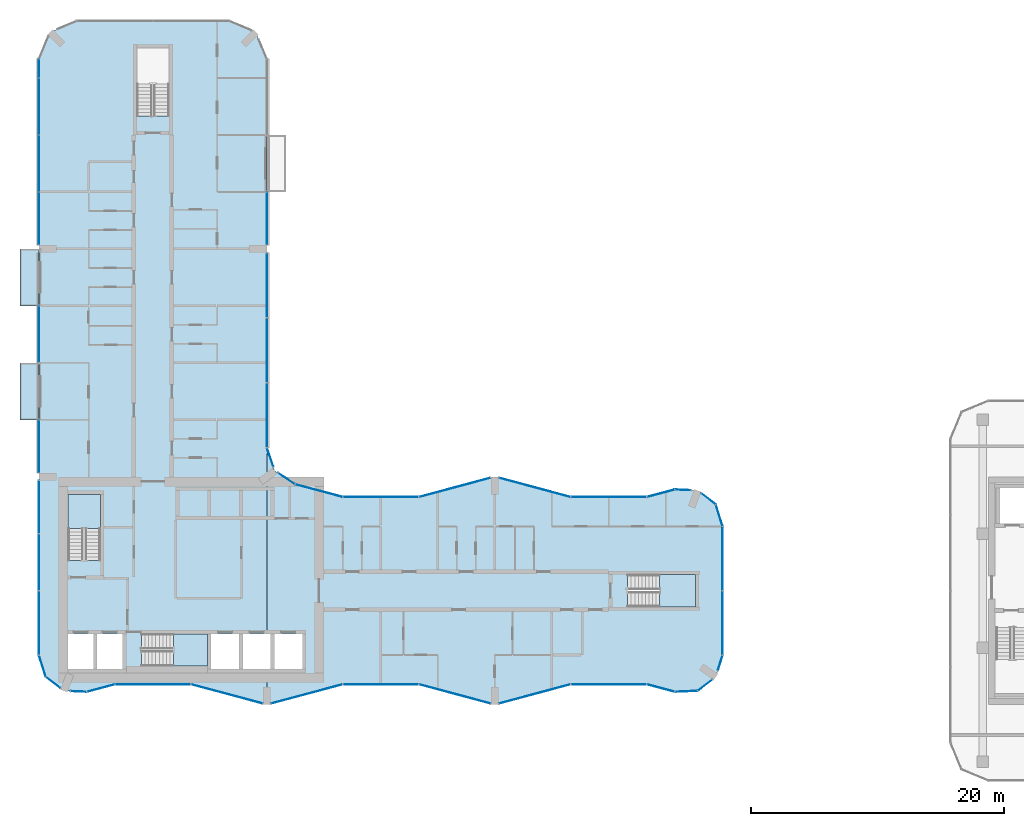
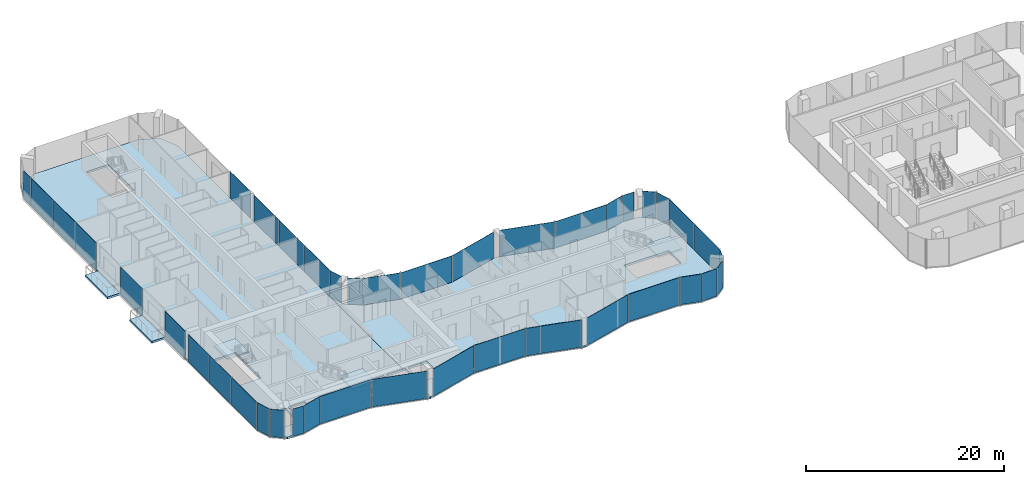
# One storey, part 12 of 24: 41 plates, 7 slabs, 36 elements without a shape of their own.
"""IFC4 building model written with IfcOpenShell, lengths in metres."""

from ifc_helpers import new_model, si_unit, direction, frame, origin, origin_2d, place, context, subcontext, project, spatial, polyline, rectangle, outline, extrude, material, layer, layer_set, type_object, element, aggregate, save


model = new_model("IFC4")

# Units and contexts
model_context = context("Model", 3, precision=1e-05, world=origin(), true_north=direction((0.0, 1.0)))
body_context = subcontext(model_context, "Body", "Model", "MODEL_VIEW")
ifc_project = project(units=[si_unit("LENGTHUNIT", "METRE"), si_unit("AREAUNIT", "SQUARE_METRE"), si_unit("VOLUMEUNIT", "CUBIC_METRE"), si_unit("PLANEANGLEUNIT", "RADIAN"), si_unit("MASSUNIT", "GRAM", prefix="KILO")], contexts=[model_context])

# Site, building, storey
site_placement = place(None, origin())
site = spatial("IfcSite", under=ifc_project, at=site_placement, CompositionType="ELEMENT")
building_placement = place(site_placement, origin())
building = spatial("IfcBuilding", under=site, at=building_placement, Name="Plateau Cross Towers", CompositionType="ELEMENT")
storey_placement = place(building_placement, frame((0.0, 0.0, 51.300048828125)))
storey = spatial("IfcBuildingStorey", under=building, at=storey_placement, Name="L12", CompositionType="ELEMENT", Elevation=51.300048828125)

# Slabs
ifc_material_1 = material(Name="Concrete C40/50", Category="concrete")
ifc_layer_1 = layer(ifc_material_1, 0.25)
ifc_layer_set_1 = layer_set([ifc_layer_1], Name="Concrete C40/50")
slab_type_1 = type_object("IfcSlabType", Name="Balcony slab 250", PredefinedType="FLOOR", material=ifc_layer_set_1)
slab_1_placement = place(storey_placement, frame((0.0, 0.0, -0.25)))
element("IfcSlab", 1, at=slab_1_placement, inside=storey, type_object=slab_type_1, Name="Balcony slab A-BAL-L12-01", PredefinedType="FLOOR", context=body_context, shape_type="SweptSolid", body=[
    extrude(outline(polyline([(0.0, 22.5), (0.0, 27.0), (-1.5, 27.0), (-1.5, 22.5), (0.0, 22.5)])), origin(), (0.0, 0.0, 1.0), 0.25),
])
slab_2_placement = place(storey_placement, frame((0.0, 0.0, -0.25)))
element("IfcSlab", 2, at=slab_2_placement, inside=storey, type_object=slab_type_1, Name="Balcony slab A-BAL-L12-02", PredefinedType="FLOOR", context=body_context, shape_type="SweptSolid", body=[
    extrude(outline(polyline([(0.0, 31.5), (0.0, 36.0), (-1.5, 36.0), (-1.5, 31.5), (0.0, 31.5)])), origin(), (0.0, 0.0, 1.0), 0.25),
])

# Curtain wall, plate
ifc_material_2 = material(Name="Dark low-iron glass", Category="glass")
ifc_layer_2 = layer(ifc_material_2, 0.239990234375)
ifc_layer_set_2 = layer_set([ifc_layer_2], Name="Dark low-iron glass")
curtain_wall_type_1 = type_object("IfcCurtainWallType", Name="Curtain wall flush unitised CW-B", PredefinedType="NOTDEFINED", material=ifc_layer_set_2)
curtain_wall_1_placement = place(storey_placement, origin())
curtain_wall_1 = element("IfcCurtainWall", 3, at=curtain_wall_1_placement, inside=storey, type_object=curtain_wall_type_1, Name="ENV/A/L12/A502_10", PredefinedType="NOTDEFINED")
ifc_layer_3 = layer(ifc_material_2, 0.031982421875)
ifc_layer_set_3 = layer_set([ifc_layer_3], Name="Dark low-iron glass")
plate_type_1 = type_object("IfcPlateType", Name="Glass panel 32 flush unitised", PredefinedType="CURTAIN_PANEL", material=ifc_layer_set_3)
plate_1_placement = place(storey_placement, frame((51.125, 1.05078125, -0.1298828125), z_axis=(0.0, 0.0, 1.0), x_axis=(0.999043701491, 0.043722791671, 0.0)))
plate_1 = element("IfcPlate", 4, at=plate_1_placement, type_object=plate_type_1, Name="CW-B panel 1", PredefinedType="CURTAIN_PANEL", context=body_context, shape_type="SweptSolid", body=[
    extrude(rectangle(XDim=1.744140625, YDim=0.031982421875, at=origin_2d()), origin(), (0.0, 0.0, 1.0), 3.3798828125),
])
aggregate(curtain_wall_1, [plate_1])

curtain_wall_2_placement = place(storey_placement, origin())
curtain_wall_2 = element("IfcCurtainWall", 5, at=curtain_wall_2_placement, inside=storey, type_object=curtain_wall_type_1, Name="ENV/A/L12/A520_11", PredefinedType="NOTDEFINED")
plate_2_placement = place(storey_placement, frame((52.60986328125, 1.5380859375, -0.1298828125), z_axis=(0.0, 0.0, 1.0), x_axis=(0.793315514529, 0.608810721331, 0.0)))
plate_2 = element("IfcPlate", 6, at=plate_2_placement, type_object=plate_type_1, Name="CW-B panel 1", PredefinedType="CURTAIN_PANEL", context=body_context, shape_type="SweptSolid", body=[
    extrude(rectangle(XDim=1.41162109375, YDim=0.031982421875, at=origin_2d()), origin(), (0.0, 0.0, 1.0), 3.3798828125),
])
aggregate(curtain_wall_2, [plate_2])

curtain_wall_3_placement = place(storey_placement, origin())
curtain_wall_3 = element("IfcCurtainWall", 7, at=curtain_wall_3_placement, inside=storey, type_object=curtain_wall_type_1, Name="ENV/A/L12/A536_27", PredefinedType="NOTDEFINED")
plate_3_placement = place(storey_placement, frame((53.805419921875, 3.292236328125, -0.1298828125), z_axis=(0.0, 0.0, 1.0), x_axis=(0.300686174994, 0.95372313811, 0.0)))
plate_3 = element("IfcPlate", 8, at=plate_3_placement, type_object=plate_type_1, Name="CW-B panel 1", PredefinedType="CURTAIN_PANEL", context=body_context, shape_type="SweptSolid", body=[
    extrude(rectangle(XDim=1.233642578125, YDim=0.031982421875, at=origin_2d()), origin(), (0.0, 0.0, 1.0), 3.3798828125),
])
aggregate(curtain_wall_3, [plate_3])

# Curtain wall, plates
curtain_wall_4_placement = place(storey_placement, origin())
curtain_wall_4 = element("IfcCurtainWall", 9, at=curtain_wall_4_placement, inside=storey, type_object=curtain_wall_type_1, Name="ENV/A/L12/A540_39", PredefinedType="NOTDEFINED")
plate_4_placement = place(storey_placement, frame((54.0, 6.45458984375, -0.1298828125), z_axis=(0.0, 0.0, 1.0), x_axis=(0.0, 1.0, 0.0)))
plate_4 = element("IfcPlate", 10, at=plate_4_placement, type_object=plate_type_1, Name="CW-B panel 1", PredefinedType="CURTAIN_PANEL", context=body_context, shape_type="SweptSolid", body=[
    extrude(rectangle(XDim=5.03076171875, YDim=0.031982421875, at=origin_2d()), origin(), (0.0, 0.0, 1.0), 3.3798828125),
])
plate_5_placement = place(storey_placement, frame((54.0, 11.54541015625, -0.1298828125), z_axis=(0.0, 0.0, 1.0), x_axis=(0.0, 1.0, 0.0)))
plate_5 = element("IfcPlate", 11, at=plate_5_placement, type_object=plate_type_1, Name="CW-B panel 2", PredefinedType="CURTAIN_PANEL", context=body_context, shape_type="SweptSolid", body=[
    extrude(rectangle(XDim=5.03076171875, YDim=0.031982421875, at=origin_2d()), origin(), (0.0, 0.0, 1.0), 3.3798828125),
])
aggregate(curtain_wall_4, [plate_4, plate_5])

# Curtain wall, plate
curtain_wall_5_placement = place(storey_placement, origin())
curtain_wall_5 = element("IfcCurtainWall", 12, at=curtain_wall_5_placement, inside=storey, type_object=curtain_wall_type_1, Name="ENV/A/L12/A540_141", PredefinedType="NOTDEFINED")
plate_6_placement = place(storey_placement, frame((53.728759765625, 14.951171875, -0.1298828125), z_axis=(0.0, 0.0, 1.0), x_axis=(-0.300686174994, 0.95372313811, 0.0)))
plate_6 = element("IfcPlate", 13, at=plate_6_placement, type_object=plate_type_1, Name="CW-B panel 1", PredefinedType="CURTAIN_PANEL", context=body_context, shape_type="SweptSolid", body=[
    extrude(rectangle(XDim=1.744140625, YDim=0.031982421875, at=origin_2d()), origin(), (0.0, 0.0, 1.0), 3.3798828125),
])
aggregate(curtain_wall_5, [plate_6])

curtain_wall_6_placement = place(storey_placement, origin())
curtain_wall_6 = element("IfcCurtainWall", 14, at=curtain_wall_6_placement, inside=storey, type_object=curtain_wall_type_1, Name="ENV/A/L12/A535_158", PredefinedType="NOTDEFINED")
plate_7_placement = place(storey_placement, frame((52.873779296875, 16.25927734375, -0.1298828125), z_axis=(0.0, 0.0, 1.0), x_axis=(-0.793315514529, 0.608810721331, 0.0)))
plate_7 = element("IfcPlate", 15, at=plate_7_placement, type_object=plate_type_1, Name="CW-B panel 1", PredefinedType="CURTAIN_PANEL", context=body_context, shape_type="SweptSolid", body=[
    extrude(rectangle(XDim=1.41162109375, YDim=0.031982421875, at=origin_2d()), origin(), (0.0, 0.0, 1.0), 3.3798828125),
])
aggregate(curtain_wall_6, [plate_7])

curtain_wall_7_placement = place(storey_placement, origin())
curtain_wall_7 = element("IfcCurtainWall", 16, at=curtain_wall_7_placement, inside=storey, type_object=curtain_wall_type_1, Name="ENV/A/L12/A515_169", PredefinedType="NOTDEFINED")
plate_8_placement = place(storey_placement, frame((50.8701171875, 16.96044921875, -0.1298828125), z_axis=(0.0, 0.0, 1.0), x_axis=(-0.999043701491, 0.043722791671, 0.0)))
plate_8 = element("IfcPlate", 17, at=plate_8_placement, type_object=plate_type_1, Name="CW-B panel 1", PredefinedType="CURTAIN_PANEL", context=body_context, shape_type="SweptSolid", body=[
    extrude(rectangle(XDim=1.233642578125, YDim=0.031982421875, at=origin_2d()), origin(), (0.0, 0.0, 1.0), 3.3798828125),
])
aggregate(curtain_wall_7, [plate_8])

curtain_wall_8_placement = place(storey_placement, origin())
curtain_wall_8 = element("IfcCurtainWall", 18, at=curtain_wall_8_placement, inside=storey, type_object=curtain_wall_type_1, Name="ENV/A/L12/A202_174", PredefinedType="NOTDEFINED")
plate_9_placement = place(storey_placement, frame((19.546630859375, 17.856689453125, -0.1298828125), z_axis=(0.0, 0.0, 1.0), x_axis=(-0.831521253329, 0.555492938984, 0.0)))
plate_9 = element("IfcPlate", 19, at=plate_9_placement, type_object=plate_type_1, Name="CW-B panel 1", PredefinedType="CURTAIN_PANEL", context=body_context, shape_type="SweptSolid", body=[
    extrude(rectangle(XDim=1.56884765625, YDim=0.031982421875, at=origin_2d()), origin(), (0.0, 0.0, 1.0), 3.3798828125),
])
aggregate(curtain_wall_8, [plate_9])

curtain_wall_9_placement = place(storey_placement, origin())
curtain_wall_9 = element("IfcCurtainWall", 20, at=curtain_wall_9_placement, inside=storey, type_object=curtain_wall_type_1, Name="ENV/A/L12/A185_188", PredefinedType="NOTDEFINED")
plate_10_placement = place(storey_placement, frame((18.26171875, 19.531005859375, -0.1298828125), z_axis=(0.0, 0.0, 1.0), x_axis=(-0.321469161574, 0.94692004845, 0.0)))
plate_10 = element("IfcPlate", 21, at=plate_10_placement, type_object=plate_type_1, Name="CW-B panel 1", PredefinedType="CURTAIN_PANEL", context=body_context, shape_type="SweptSolid", body=[
    extrude(rectangle(XDim=1.56884765625, YDim=0.031982421875, at=origin_2d()), origin(), (0.0, 0.0, 1.0), 3.3798828125),
])
aggregate(curtain_wall_9, [plate_10])

# Curtain wall, plates
curtain_wall_10_placement = place(storey_placement, origin())
curtain_wall_10 = element("IfcCurtainWall", 22, at=curtain_wall_10_placement, inside=storey, type_object=curtain_wall_type_1, Name="ENV/A/L12/A180_203", PredefinedType="NOTDEFINED")
plate_11_placement = place(storey_placement, frame((18.0, 22.86865234375, -0.1298828125), z_axis=(0.0, 0.0, 1.0), x_axis=(0.0, 1.0, 0.0)))
plate_11 = element("IfcPlate", 23, at=plate_11_placement, type_object=plate_type_1, Name="CW-B panel 1", PredefinedType="CURTAIN_PANEL", context=body_context, shape_type="SweptSolid", body=[
    extrude(rectangle(XDim=5.072509765625, YDim=0.031982421875, at=origin_2d()), origin(), (0.0, 0.0, 1.0), 3.3798828125),
])
plate_12_placement = place(storey_placement, frame((18.0, 28.001220703125, -0.1298828125), z_axis=(0.0, 0.0, 1.0), x_axis=(0.0, 1.0, 0.0)))
plate_12 = element("IfcPlate", 24, at=plate_12_placement, type_object=plate_type_1, Name="CW-B panel 2", PredefinedType="CURTAIN_PANEL", context=body_context, shape_type="SweptSolid", body=[
    extrude(rectangle(XDim=5.072509765625, YDim=0.031982421875, at=origin_2d()), origin(), (0.0, 0.0, 1.0), 3.3798828125),
])
plate_13_placement = place(storey_placement, frame((18.0, 33.1337890625, -0.1298828125), z_axis=(0.0, 0.0, 1.0), x_axis=(0.0, 1.0, 0.0)))
plate_13 = element("IfcPlate", 25, at=plate_13_placement, type_object=plate_type_1, Name="CW-B panel 3", PredefinedType="CURTAIN_PANEL", context=body_context, shape_type="SweptSolid", body=[
    extrude(rectangle(XDim=5.072509765625, YDim=0.031982421875, at=origin_2d()), origin(), (0.0, 0.0, 1.0), 3.3798828125),
])
aggregate(curtain_wall_10, [plate_11, plate_12, plate_13])

# Curtain wall, plate
curtain_wall_11_placement = place(storey_placement, origin())
curtain_wall_11 = element("IfcCurtainWall", 26, at=curtain_wall_11_placement, inside=storey, type_object=curtain_wall_type_1, Name="ENV/A/L12/A180_363", PredefinedType="NOTDEFINED")
plate_14_placement = place(storey_placement, frame((18.0, 38.39501953125, -0.1298828125), z_axis=(0.0, 0.0, 1.0), x_axis=(0.0, 1.0, 0.0)))
plate_14 = element("IfcPlate", 27, at=plate_14_placement, type_object=plate_type_1, Name="CW-B panel 1", PredefinedType="CURTAIN_PANEL", context=body_context, shape_type="SweptSolid", body=[
    extrude(rectangle(XDim=4.1298828125, YDim=0.031982421875, at=origin_2d()), origin(), (0.0, 0.0, 1.0), 3.3798828125),
])
aggregate(curtain_wall_11, [plate_14])

# Curtain wall, plates
curtain_wall_12_placement = place(storey_placement, origin())
curtain_wall_12 = element("IfcCurtainWall", 28, at=curtain_wall_12_placement, inside=storey, type_object=curtain_wall_type_1, Name="ENV/A/L12/A0_510", PredefinedType="NOTDEFINED")
plate_15_placement = place(storey_placement, frame((0.0, 50.25, -0.1298828125), z_axis=(0.0, 0.0, 1.0), x_axis=(0.0, -1.0, 0.0)))
plate_15 = element("IfcPlate", 29, at=plate_15_placement, type_object=plate_type_1, Name="CW-B panel 1", PredefinedType="CURTAIN_PANEL", context=body_context, shape_type="SweptSolid", body=[
    extrude(rectangle(XDim=1.43994140625, YDim=0.031982421875, at=origin_2d()), origin(), (0.0, 0.0, 1.0), 3.3798828125),
])
plate_16_placement = place(storey_placement, frame((0.0, 47.25, -0.1298828125), z_axis=(0.0, 0.0, 1.0), x_axis=(0.0, -1.0, 0.0)))
plate_16 = element("IfcPlate", 30, at=plate_16_placement, type_object=plate_type_1, Name="CW-B panel 2", PredefinedType="CURTAIN_PANEL", context=body_context, shape_type="SweptSolid", body=[
    extrude(rectangle(XDim=4.43994140625, YDim=0.031982421875, at=origin_2d()), origin(), (0.0, 0.0, 1.0), 3.3798828125),
])
plate_17_placement = place(storey_placement, frame((0.0, 42.75, -0.1298828125), z_axis=(0.0, 0.0, 1.0), x_axis=(0.0, -1.0, 0.0)))
plate_17 = element("IfcPlate", 31, at=plate_17_placement, type_object=plate_type_1, Name="CW-B panel 3", PredefinedType="CURTAIN_PANEL", context=body_context, shape_type="SweptSolid", body=[
    extrude(rectangle(XDim=4.43994140625, YDim=0.031982421875, at=origin_2d()), origin(), (0.0, 0.0, 1.0), 3.3798828125),
])
plate_18_placement = place(storey_placement, frame((0.0, 38.39990234375, -0.1298828125), z_axis=(0.0, 0.0, 1.0), x_axis=(0.0, -1.0, 0.0)))
plate_18 = element("IfcPlate", 32, at=plate_18_placement, type_object=plate_type_1, Name="CW-B panel 4", PredefinedType="CURTAIN_PANEL", context=body_context, shape_type="SweptSolid", body=[
    extrude(rectangle(XDim=4.139892578125, YDim=0.031982421875, at=origin_2d()), origin(), (0.0, 0.0, 1.0), 3.3798828125),
])
aggregate(curtain_wall_12, [plate_15, plate_16, plate_17, plate_18])

# Curtain wall, plate
curtain_wall_13_placement = place(storey_placement, origin())
curtain_wall_13 = element("IfcCurtainWall", 33, at=curtain_wall_13_placement, inside=storey, type_object=curtain_wall_type_1, Name="ENV/A/L12/A0_315", PredefinedType="NOTDEFINED")
plate_19_placement = place(storey_placement, frame((0.0, 29.25, -0.1298828125), z_axis=(0.0, 0.0, 1.0), x_axis=(0.0, -1.0, 0.0)))
plate_19 = element("IfcPlate", 34, at=plate_19_placement, type_object=plate_type_1, Name="CW-B panel 1", PredefinedType="CURTAIN_PANEL", context=body_context, shape_type="SweptSolid", body=[
    extrude(rectangle(XDim=4.419921875, YDim=0.031982421875, at=origin_2d()), origin(), (0.0, 0.0, 1.0), 3.3798828125),
])
aggregate(curtain_wall_13, [plate_19])

curtain_wall_14_placement = place(storey_placement, origin())
curtain_wall_14 = element("IfcCurtainWall", 35, at=curtain_wall_14_placement, inside=storey, type_object=curtain_wall_type_1, Name="ENV/A/L12/A0_225", PredefinedType="NOTDEFINED")
plate_20_placement = place(storey_placement, frame((0.0, 20.39501953125, -0.1298828125), z_axis=(0.0, 0.0, 1.0), x_axis=(0.0, -1.0, 0.0)))
plate_20 = element("IfcPlate", 36, at=plate_20_placement, type_object=plate_type_1, Name="CW-B panel 1", PredefinedType="CURTAIN_PANEL", context=body_context, shape_type="SweptSolid", body=[
    extrude(rectangle(XDim=4.1298828125, YDim=0.031982421875, at=origin_2d()), origin(), (0.0, 0.0, 1.0), 3.3798828125),
])
aggregate(curtain_wall_14, [plate_20])

# Curtain wall, plates
curtain_wall_15_placement = place(storey_placement, origin())
curtain_wall_15 = element("IfcCurtainWall", 37, at=curtain_wall_15_placement, inside=storey, type_object=curtain_wall_type_1, Name="ENV/A/L12/A0_177", PredefinedType="NOTDEFINED")
plate_21_placement = place(storey_placement, frame((0.0, 15.60009765625, -0.1298828125), z_axis=(0.0, 0.0, 1.0), x_axis=(0.0, -1.0, 0.0)))
plate_21 = element("IfcPlate", 38, at=plate_21_placement, type_object=plate_type_1, Name="CW-B panel 1", PredefinedType="CURTAIN_PANEL", context=body_context, shape_type="SweptSolid", body=[
    extrude(rectangle(XDim=4.139892578125, YDim=0.031982421875, at=origin_2d()), origin(), (0.0, 0.0, 1.0), 3.3798828125),
])
plate_22_placement = place(storey_placement, frame((0.0, 11.25, -0.1298828125), z_axis=(0.0, 0.0, 1.0), x_axis=(0.0, -1.0, 0.0)))
plate_22 = element("IfcPlate", 39, at=plate_22_placement, type_object=plate_type_1, Name="CW-B panel 2", PredefinedType="CURTAIN_PANEL", context=body_context, shape_type="SweptSolid", body=[
    extrude(rectangle(XDim=4.43994140625, YDim=0.031982421875, at=origin_2d()), origin(), (0.0, 0.0, 1.0), 3.3798828125),
])
plate_23_placement = place(storey_placement, frame((0.0, 6.45458984375, -0.1298828125), z_axis=(0.0, 0.0, 1.0), x_axis=(0.0, -1.0, 0.0)))
plate_23 = element("IfcPlate", 40, at=plate_23_placement, type_object=plate_type_1, Name="CW-B panel 3", PredefinedType="CURTAIN_PANEL", context=body_context, shape_type="SweptSolid", body=[
    extrude(rectangle(XDim=5.03076171875, YDim=0.031982421875, at=origin_2d()), origin(), (0.0, 0.0, 1.0), 3.3798828125),
])
aggregate(curtain_wall_15, [plate_21, plate_22, plate_23])

# Curtain wall, plate
curtain_wall_16_placement = place(storey_placement, origin())
curtain_wall_16 = element("IfcCurtainWall", 41, at=curtain_wall_16_placement, inside=storey, type_object=curtain_wall_type_1, Name="ENV/A/L12/A0_39", PredefinedType="NOTDEFINED")
plate_24_placement = place(storey_placement, frame((0.271240234375, 3.048828125, -0.1298828125), z_axis=(0.0, 0.0, 1.0), x_axis=(0.300686174994, -0.95372313811, 0.0)))
plate_24 = element("IfcPlate", 42, at=plate_24_placement, type_object=plate_type_1, Name="CW-B panel 1", PredefinedType="CURTAIN_PANEL", context=body_context, shape_type="SweptSolid", body=[
    extrude(rectangle(XDim=1.744140625, YDim=0.031982421875, at=origin_2d()), origin(), (0.0, 0.0, 1.0), 3.3798828125),
])
aggregate(curtain_wall_16, [plate_24])

curtain_wall_17_placement = place(storey_placement, origin())
curtain_wall_17 = element("IfcCurtainWall", 43, at=curtain_wall_17_placement, inside=storey, type_object=curtain_wall_type_1, Name="ENV/A/L12/A5_22", PredefinedType="NOTDEFINED")
plate_25_placement = place(storey_placement, frame((1.126220703125, 1.74072265625, -0.1298828125), z_axis=(0.0, 0.0, 1.0), x_axis=(0.793315514529, -0.608810721331, 0.0)))
plate_25 = element("IfcPlate", 44, at=plate_25_placement, type_object=plate_type_1, Name="CW-B panel 1", PredefinedType="CURTAIN_PANEL", context=body_context, shape_type="SweptSolid", body=[
    extrude(rectangle(XDim=1.41162109375, YDim=0.031982421875, at=origin_2d()), origin(), (0.0, 0.0, 1.0), 3.3798828125),
])
aggregate(curtain_wall_17, [plate_25])

curtain_wall_18_placement = place(storey_placement, origin())
curtain_wall_18 = element("IfcCurtainWall", 45, at=curtain_wall_18_placement, inside=storey, type_object=curtain_wall_type_1, Name="ENV/A/L12/A25_11", PredefinedType="NOTDEFINED")
plate_26_placement = place(storey_placement, frame((3.1298828125, 1.03955078125, -0.1298828125), z_axis=(0.0, 0.0, 1.0), x_axis=(0.999043701491, -0.043722791671, 0.0)))
plate_26 = element("IfcPlate", 46, at=plate_26_placement, type_object=plate_type_1, Name="CW-B panel 1", PredefinedType="CURTAIN_PANEL", context=body_context, shape_type="SweptSolid", body=[
    extrude(rectangle(XDim=1.233642578125, YDim=0.031982421875, at=origin_2d()), origin(), (0.0, 0.0, 1.0), 3.3798828125),
])
aggregate(curtain_wall_18, [plate_26])

ifc_layer_4 = layer(ifc_material_2, 0.260009765625)
ifc_layer_set_4 = layer_set([ifc_layer_4], Name="Dark low-iron glass")
curtain_wall_type_2 = type_object("IfcCurtainWallType", Name="Curtain wall fluted unitised CW-A", PredefinedType="NOTDEFINED", material=ifc_layer_set_4)
curtain_wall_19_placement = place(storey_placement, origin())
curtain_wall_19 = element("IfcCurtainWall", 47, at=curtain_wall_19_placement, inside=storey, type_object=curtain_wall_type_2, Name="ENV/A/L12/A38_10", PredefinedType="NOTDEFINED")
ifc_layer_5 = layer(ifc_material_2, 0.035888671875)
ifc_layer_set_5 = layer_set([ifc_layer_5], Name="Dark low-iron glass")
plate_type_2 = type_object("IfcPlateType", Name="Glass panel 36 fluted unitised", PredefinedType="CURTAIN_PANEL", material=ifc_layer_set_5)
plate_27_placement = place(storey_placement, frame((4.887939453125, 1.30908203125, -0.1298828125), z_axis=(0.0, 0.0, 1.0), x_axis=(0.965957962328, 0.258699081978, 0.0)))
plate_27 = element("IfcPlate", 48, at=plate_27_placement, type_object=plate_type_2, Name="CW-A panel 1", PredefinedType="CURTAIN_PANEL", context=body_context, shape_type="SweptSolid", body=[
    extrude(rectangle(XDim=2.2421875, YDim=0.035888671875, at=origin_2d()), origin(), (0.0, 0.0, 1.0), 3.3798828125),
])
aggregate(curtain_wall_19, [plate_27])

curtain_wall_20_placement = place(storey_placement, origin())
curtain_wall_20 = element("IfcCurtainWall", 49, at=curtain_wall_20_placement, inside=storey, type_object=curtain_wall_type_2, Name="ENV/A/L12/A60_16", PredefinedType="NOTDEFINED")
plate_28_placement = place(storey_placement, frame((9.0, 1.60693359375, -0.1298828125), z_axis=(0.0, 0.0, 1.0), x_axis=(1.0, 0.0, 0.0)))
plate_28 = element("IfcPlate", 50, at=plate_28_placement, type_object=plate_type_2, Name="CW-A panel 1", PredefinedType="CURTAIN_PANEL", context=body_context, shape_type="SweptSolid", body=[
    extrude(rectangle(XDim=5.93994140625, YDim=0.035888671875, at=origin_2d()), origin(), (0.0, 0.0, 1.0), 3.3798828125),
])
aggregate(curtain_wall_20, [plate_28])

curtain_wall_21_placement = place(storey_placement, origin())
curtain_wall_21 = element("IfcCurtainWall", 51, at=curtain_wall_21_placement, inside=storey, type_object=curtain_wall_type_2, Name="ENV/A/L12/A120_16", PredefinedType="NOTDEFINED")
plate_29_placement = place(storey_placement, frame((14.841064453125, 0.845947265625, -0.1298828125), z_axis=(0.0, 0.0, 1.0), x_axis=(0.965957983404, -0.258699003279, 0.0)))
plate_29 = element("IfcPlate", 52, at=plate_29_placement, type_object=plate_type_2, Name="CW-A panel 1", PredefinedType="CURTAIN_PANEL", context=body_context, shape_type="SweptSolid", body=[
    extrude(rectangle(XDim=5.822265625, YDim=0.035888671875, at=origin_2d()), origin(), (0.0, 0.0, 1.0), 3.3798828125),
])
aggregate(curtain_wall_21, [plate_29])

curtain_wall_22_placement = place(storey_placement, origin())
curtain_wall_22 = element("IfcCurtainWall", 53, at=curtain_wall_22_placement, inside=storey, type_object=curtain_wall_type_2, Name="ENV/A/L12/A183_1", PredefinedType="NOTDEFINED")
plate_30_placement = place(storey_placement, frame((21.158935546875, 0.845947265625, -0.1298828125), z_axis=(0.0, 0.0, 1.0), x_axis=(0.965957983404, 0.258699003279, 0.0)))
plate_30 = element("IfcPlate", 54, at=plate_30_placement, type_object=plate_type_2, Name="CW-A panel 1", PredefinedType="CURTAIN_PANEL", context=body_context, shape_type="SweptSolid", body=[
    extrude(rectangle(XDim=5.822265625, YDim=0.035888671875, at=origin_2d()), origin(), (0.0, 0.0, 1.0), 3.3798828125),
])
aggregate(curtain_wall_22, [plate_30])

curtain_wall_23_placement = place(storey_placement, origin())
curtain_wall_23 = element("IfcCurtainWall", 55, at=curtain_wall_23_placement, inside=storey, type_object=curtain_wall_type_2, Name="ENV/A/L12/A240_16", PredefinedType="NOTDEFINED")
plate_31_placement = place(storey_placement, frame((27.0, 1.60693359375, -0.1298828125), z_axis=(0.0, 0.0, 1.0), x_axis=(1.0, 0.0, 0.0)))
plate_31 = element("IfcPlate", 56, at=plate_31_placement, type_object=plate_type_2, Name="CW-A panel 1", PredefinedType="CURTAIN_PANEL", context=body_context, shape_type="SweptSolid", body=[
    extrude(rectangle(XDim=5.93994140625, YDim=0.035888671875, at=origin_2d()), origin(), (0.0, 0.0, 1.0), 3.3798828125),
])
aggregate(curtain_wall_23, [plate_31])

curtain_wall_24_placement = place(storey_placement, origin())
curtain_wall_24 = element("IfcCurtainWall", 57, at=curtain_wall_24_placement, inside=storey, type_object=curtain_wall_type_2, Name="ENV/A/L12/A300_16", PredefinedType="NOTDEFINED")
plate_32_placement = place(storey_placement, frame((32.841064453125, 0.845947265625, -0.1298828125), z_axis=(0.0, 0.0, 1.0), x_axis=(0.965957983404, -0.258699003279, 0.0)))
plate_32 = element("IfcPlate", 58, at=plate_32_placement, type_object=plate_type_2, Name="CW-A panel 1", PredefinedType="CURTAIN_PANEL", context=body_context, shape_type="SweptSolid", body=[
    extrude(rectangle(XDim=5.822265625, YDim=0.035888671875, at=origin_2d()), origin(), (0.0, 0.0, 1.0), 3.3798828125),
])
aggregate(curtain_wall_24, [plate_32])

curtain_wall_25_placement = place(storey_placement, origin())
curtain_wall_25 = element("IfcCurtainWall", 59, at=curtain_wall_25_placement, inside=storey, type_object=curtain_wall_type_2, Name="ENV/A/L12/A363_1", PredefinedType="NOTDEFINED")
plate_33_placement = place(storey_placement, frame((39.158935546875, 0.845947265625, -0.1298828125), z_axis=(0.0, 0.0, 1.0), x_axis=(0.965957983404, 0.258699003279, 0.0)))
plate_33 = element("IfcPlate", 60, at=plate_33_placement, type_object=plate_type_2, Name="CW-A panel 1", PredefinedType="CURTAIN_PANEL", context=body_context, shape_type="SweptSolid", body=[
    extrude(rectangle(XDim=5.822265625, YDim=0.035888671875, at=origin_2d()), origin(), (0.0, 0.0, 1.0), 3.3798828125),
])
aggregate(curtain_wall_25, [plate_33])

curtain_wall_26_placement = place(storey_placement, origin())
curtain_wall_26 = element("IfcCurtainWall", 61, at=curtain_wall_26_placement, inside=storey, type_object=curtain_wall_type_2, Name="ENV/A/L12/A420_16", PredefinedType="NOTDEFINED")
plate_34_placement = place(storey_placement, frame((45.0, 1.60693359375, -0.1298828125), z_axis=(0.0, 0.0, 1.0), x_axis=(1.0, 0.0, 0.0)))
plate_34 = element("IfcPlate", 62, at=plate_34_placement, type_object=plate_type_2, Name="CW-A panel 1", PredefinedType="CURTAIN_PANEL", context=body_context, shape_type="SweptSolid", body=[
    extrude(rectangle(XDim=5.93994140625, YDim=0.035888671875, at=origin_2d()), origin(), (0.0, 0.0, 1.0), 3.3798828125),
])
aggregate(curtain_wall_26, [plate_34])

curtain_wall_27_placement = place(storey_placement, origin())
curtain_wall_27 = element("IfcCurtainWall", 63, at=curtain_wall_27_placement, inside=storey, type_object=curtain_wall_type_2, Name="ENV/A/L12/A480_16", PredefinedType="NOTDEFINED")
plate_35_placement = place(storey_placement, frame((49.112060546875, 1.30908203125, -0.1298828125), z_axis=(0.0, 0.0, 1.0), x_axis=(0.965957962328, -0.258699081978, 0.0)))
plate_35 = element("IfcPlate", 64, at=plate_35_placement, type_object=plate_type_2, Name="CW-A panel 1", PredefinedType="CURTAIN_PANEL", context=body_context, shape_type="SweptSolid", body=[
    extrude(rectangle(XDim=2.2421875, YDim=0.035888671875, at=origin_2d()), origin(), (0.0, 0.0, 1.0), 3.3798828125),
])
aggregate(curtain_wall_27, [plate_35])

curtain_wall_28_placement = place(storey_placement, origin())
curtain_wall_28 = element("IfcCurtainWall", 65, at=curtain_wall_28_placement, inside=storey, type_object=curtain_wall_type_2, Name="ENV/A/L12/A502_170", PredefinedType="NOTDEFINED")
plate_36_placement = place(storey_placement, frame((49.112060546875, 16.69091796875, -0.1298828125), z_axis=(0.0, 0.0, 1.0), x_axis=(-0.965957962328, -0.258699081978, 0.0)))
plate_36 = element("IfcPlate", 66, at=plate_36_placement, type_object=plate_type_2, Name="CW-A panel 1", PredefinedType="CURTAIN_PANEL", context=body_context, shape_type="SweptSolid", body=[
    extrude(rectangle(XDim=2.2421875, YDim=0.035888671875, at=origin_2d()), origin(), (0.0, 0.0, 1.0), 3.3798828125),
])
aggregate(curtain_wall_28, [plate_36])

curtain_wall_29_placement = place(storey_placement, origin())
curtain_wall_29 = element("IfcCurtainWall", 67, at=curtain_wall_29_placement, inside=storey, type_object=curtain_wall_type_2, Name="ENV/A/L12/A480_164", PredefinedType="NOTDEFINED")
plate_37_placement = place(storey_placement, frame((45.0, 16.39306640625, -0.1298828125), z_axis=(0.0, 0.0, 1.0), x_axis=(-1.0, 0.0, 0.0)))
plate_37 = element("IfcPlate", 68, at=plate_37_placement, type_object=plate_type_2, Name="CW-A panel 1", PredefinedType="CURTAIN_PANEL", context=body_context, shape_type="SweptSolid", body=[
    extrude(rectangle(XDim=5.93994140625, YDim=0.035888671875, at=origin_2d()), origin(), (0.0, 0.0, 1.0), 3.3798828125),
])
aggregate(curtain_wall_29, [plate_37])

curtain_wall_30_placement = place(storey_placement, origin())
curtain_wall_30 = element("IfcCurtainWall", 69, at=curtain_wall_30_placement, inside=storey, type_object=curtain_wall_type_2, Name="ENV/A/L12/A420_164", PredefinedType="NOTDEFINED")
plate_38_placement = place(storey_placement, frame((39.158935546875, 17.154052734375, -0.1298828125), z_axis=(0.0, 0.0, 1.0), x_axis=(-0.965957983404, 0.258699003279, 0.0)))
plate_38 = element("IfcPlate", 70, at=plate_38_placement, type_object=plate_type_2, Name="CW-A panel 1", PredefinedType="CURTAIN_PANEL", context=body_context, shape_type="SweptSolid", body=[
    extrude(rectangle(XDim=5.822265625, YDim=0.035888671875, at=origin_2d()), origin(), (0.0, 0.0, 1.0), 3.3798828125),
])
aggregate(curtain_wall_30, [plate_38])

curtain_wall_31_placement = place(storey_placement, origin())
curtain_wall_31 = element("IfcCurtainWall", 71, at=curtain_wall_31_placement, inside=storey, type_object=curtain_wall_type_2, Name="ENV/A/L12/A357_179", PredefinedType="NOTDEFINED")
plate_39_placement = place(storey_placement, frame((32.841064453125, 17.154052734375, -0.1298828125), z_axis=(0.0, 0.0, 1.0), x_axis=(-0.965957983404, -0.258699003279, 0.0)))
plate_39 = element("IfcPlate", 72, at=plate_39_placement, type_object=plate_type_2, Name="CW-A panel 1", PredefinedType="CURTAIN_PANEL", context=body_context, shape_type="SweptSolid", body=[
    extrude(rectangle(XDim=5.822265625, YDim=0.035888671875, at=origin_2d()), origin(), (0.0, 0.0, 1.0), 3.3798828125),
])
aggregate(curtain_wall_31, [plate_39])

curtain_wall_32_placement = place(storey_placement, origin())
curtain_wall_32 = element("IfcCurtainWall", 73, at=curtain_wall_32_placement, inside=storey, type_object=curtain_wall_type_2, Name="ENV/A/L12/A300_164", PredefinedType="NOTDEFINED")
plate_40_placement = place(storey_placement, frame((27.0, 16.39306640625, -0.1298828125), z_axis=(0.0, 0.0, 1.0), x_axis=(-1.0, 0.0, 0.0)))
plate_40 = element("IfcPlate", 74, at=plate_40_placement, type_object=plate_type_2, Name="CW-A panel 1", PredefinedType="CURTAIN_PANEL", context=body_context, shape_type="SweptSolid", body=[
    extrude(rectangle(XDim=5.93994140625, YDim=0.035888671875, at=origin_2d()), origin(), (0.0, 0.0, 1.0), 3.3798828125),
])
aggregate(curtain_wall_32, [plate_40])

curtain_wall_33_placement = place(storey_placement, origin())
curtain_wall_33 = element("IfcCurtainWall", 75, at=curtain_wall_33_placement, inside=storey, type_object=curtain_wall_type_2, Name="ENV/A/L12/A240_164", PredefinedType="NOTDEFINED")
plate_41_placement = place(storey_placement, frame((22.112060546875, 16.898681640625, -0.1298828125), z_axis=(0.0, 0.0, 1.0), x_axis=(-0.965957995816, 0.258698956933, 0.0)))
plate_41 = element("IfcPlate", 76, at=plate_41_placement, type_object=plate_type_2, Name="CW-A panel 1", PredefinedType="CURTAIN_PANEL", context=body_context, shape_type="SweptSolid", body=[
    extrude(rectangle(XDim=3.84912109375, YDim=0.035888671875, at=origin_2d()), origin(), (0.0, 0.0, 1.0), 3.3798828125),
])
aggregate(curtain_wall_33, [plate_41])

# Slabs
ifc_layer_6 = layer(ifc_material_1, 0.25)
ifc_layer_set_6 = layer_set([ifc_layer_6], Name="Concrete C40/50")
slab_type_2 = type_object("IfcSlabType", Name="Post-tensioned flat plate slab 250", PredefinedType="FLOOR", material=ifc_layer_set_6)
slab_3_placement = place(storey_placement, frame((0.0, 0.0, -0.25)))
element("IfcSlab", 77, at=slab_3_placement, inside=storey, type_object=slab_type_2, Name="SL-A-L12 1", PredefinedType="FLOOR", context=body_context, shape_type="SweptSolid", body=[
    extrude(outline(polyline([(0.54248046875, 2.1884765625), (0.0, 3.9091796875), (0.0, 51.0), (0.878662109375, 53.121337890625), (3.0, 54.0), (15.0, 54.0), (17.121337890625, 53.121337890625), (18.0, 51.0), (18.0, 20.30224609375), (18.0, 5.60009765625), (16.10009765625, 5.60009765625), (16.10009765625, 2.800048828125), (18.0, 2.800048828125), (18.0, 0.0), (12.0, 1.60693359375), (6.0, 1.60693359375), (3.776123046875, 1.01123046875), (1.9736328125, 1.090087890625), (0.54248046875, 2.1884765625)]), holes=[polyline([(4.300048828125, 5.60009765625), (2.300048828125, 5.60009765625), (2.300048828125, 2.800048828125), (4.300048828125, 2.800048828125), (4.300048828125, 5.60009765625)]), polyline([(6.60009765625, 5.60009765625), (4.60009765625, 5.60009765625), (4.60009765625, 2.800048828125), (6.60009765625, 2.800048828125), (6.60009765625, 5.60009765625)]), polyline([(15.800048828125, 5.60009765625), (13.60009765625, 5.60009765625), (13.60009765625, 2.800048828125), (15.800048828125, 2.800048828125), (15.800048828125, 5.60009765625)]), polyline([(13.300048828125, 5.60009765625), (8.10009765625, 5.60009765625), (8.10009765625, 3.050048828125), (13.300048828125, 3.050048828125), (13.300048828125, 5.60009765625)]), polyline([(4.85009765625, 16.60009765625), (2.300048828125, 16.60009765625), (2.300048828125, 11.39990234375), (4.85009765625, 11.39990234375), (4.85009765625, 16.60009765625)]), polyline([(7.72509765625, 51.699951171875), (7.72509765625, 46.5), (10.27490234375, 46.5), (10.27490234375, 51.699951171875), (7.72509765625, 51.699951171875)])]), origin(), (0.0, 0.0, 1.0), 0.25),
])
slab_4_placement = place(storey_placement, frame((0.0, 0.0, -0.25)))
element("IfcSlab", 78, at=slab_4_placement, inside=storey, type_object=slab_type_2, Name="SL-A-L12 2", PredefinedType="FLOOR", context=body_context, shape_type="SweptSolid", body=[
    extrude(outline(polyline([(18.6201171875, 18.475830078125), (20.223876953125, 17.404296875), (24.0, 16.39306640625), (30.0, 16.39306640625), (36.0, 18.0), (42.0, 16.39306640625), (48.0, 16.39306640625), (50.223876953125, 16.98876953125), (52.0263671875, 16.909912109375), (53.45751953125, 15.8115234375), (54.0, 14.0908203125), (54.0, 3.9091796875), (53.45751953125, 2.1884765625), (52.0263671875, 1.090087890625), (50.223876953125, 1.01123046875), (48.0, 1.60693359375), (42.0, 1.60693359375), (36.0, 0.0), (30.0, 1.60693359375), (24.0, 1.60693359375), (18.0, 0.0), (18.0, 2.800048828125), (18.300048828125, 2.800048828125), (18.300048828125, 5.60009765625), (18.0, 5.60009765625), (18.0, 20.30224609375), (18.6201171875, 18.475830078125)]), holes=[polyline([(20.800048828125, 5.60009765625), (18.60009765625, 5.60009765625), (18.60009765625, 2.800048828125), (20.800048828125, 2.800048828125), (20.800048828125, 5.60009765625)]), polyline([(51.699951171875, 7.72509765625), (51.699951171875, 10.27490234375), (46.5, 10.27490234375), (46.5, 7.72509765625), (51.699951171875, 7.72509765625)])]), origin(), (0.0, 0.0, 1.0), 0.25),
])

# Stair, slab
stair_type = type_object("IfcStairType", Name="ST-TWR", PredefinedType="HALF_TURN_STAIR", material=ifc_material_1)
stair_1_placement = place(storey_placement, origin())
stair_1 = element("IfcStair", 79, at=stair_1_placement, inside=storey, type_object=stair_type, Name="L12 Protected Exit Stair ST-1", PredefinedType="HALF_TURN_STAIR")
ifc_layer_7 = layer(ifc_material_1, 0.199951171875)
ifc_layer_set_7 = layer_set([ifc_layer_7], Name="Concrete C40/50")
slab_type_3 = type_object("IfcSlabType", Name="SL-LANDING", PredefinedType="LANDING", material=ifc_layer_set_7)
slab_5_placement = place(storey_placement, frame((0.0, 0.0, 1.550048828125)))
slab_5 = element("IfcSlab", 80, at=slab_5_placement, type_object=slab_type_3, Name="ST-1 landing 1", PredefinedType="LANDING", context=body_context, shape_type="SweptSolid", body=[
    extrude(outline(polyline([(4.85009765625, 13.919921875), (4.85009765625, 16.60009765625), (2.300048828125, 16.60009765625), (2.300048828125, 13.919921875), (4.85009765625, 13.919921875)])), origin(), (0.0, 0.0, 1.0), 0.199951171875),
])
aggregate(stair_1, [slab_5])

stair_2_placement = place(storey_placement, origin())
stair_2 = element("IfcStair", 81, at=stair_2_placement, inside=storey, type_object=stair_type, Name="L12 Protected Exit Stair ST-2", PredefinedType="HALF_TURN_STAIR")
slab_6_placement = place(storey_placement, frame((0.0, 0.0, 1.550048828125)))
slab_6 = element("IfcSlab", 82, at=slab_6_placement, type_object=slab_type_3, Name="ST-2 landing 1", PredefinedType="LANDING", context=body_context, shape_type="SweptSolid", body=[
    extrude(outline(polyline([(10.6201171875, 3.050048828125), (13.300048828125, 3.050048828125), (13.300048828125, 5.60009765625), (10.6201171875, 5.60009765625), (10.6201171875, 3.050048828125)])), origin(), (0.0, 0.0, 1.0), 0.199951171875),
])
aggregate(stair_2, [slab_6])

stair_3_placement = place(storey_placement, origin())
stair_3 = element("IfcStair", 83, at=stair_3_placement, inside=storey, type_object=stair_type, Name="L12 Protected Exit Stair E", PredefinedType="HALF_TURN_STAIR")
slab_7_placement = place(storey_placement, frame((0.0, 0.0, 1.550048828125)))
slab_7 = element("IfcSlab", 84, at=slab_7_placement, type_object=slab_type_3, Name="ES-E landing 1", PredefinedType="LANDING", context=body_context, shape_type="SweptSolid", body=[
    extrude(outline(polyline([(49.02001953125, 7.72509765625), (51.85009765625, 7.72509765625), (51.85009765625, 10.27490234375), (49.02001953125, 10.27490234375), (49.02001953125, 7.72509765625)])), origin(), (0.0, 0.0, 1.0), 0.199951171875),
])
aggregate(stair_3, [slab_7])

save(model, "model.ifc")
